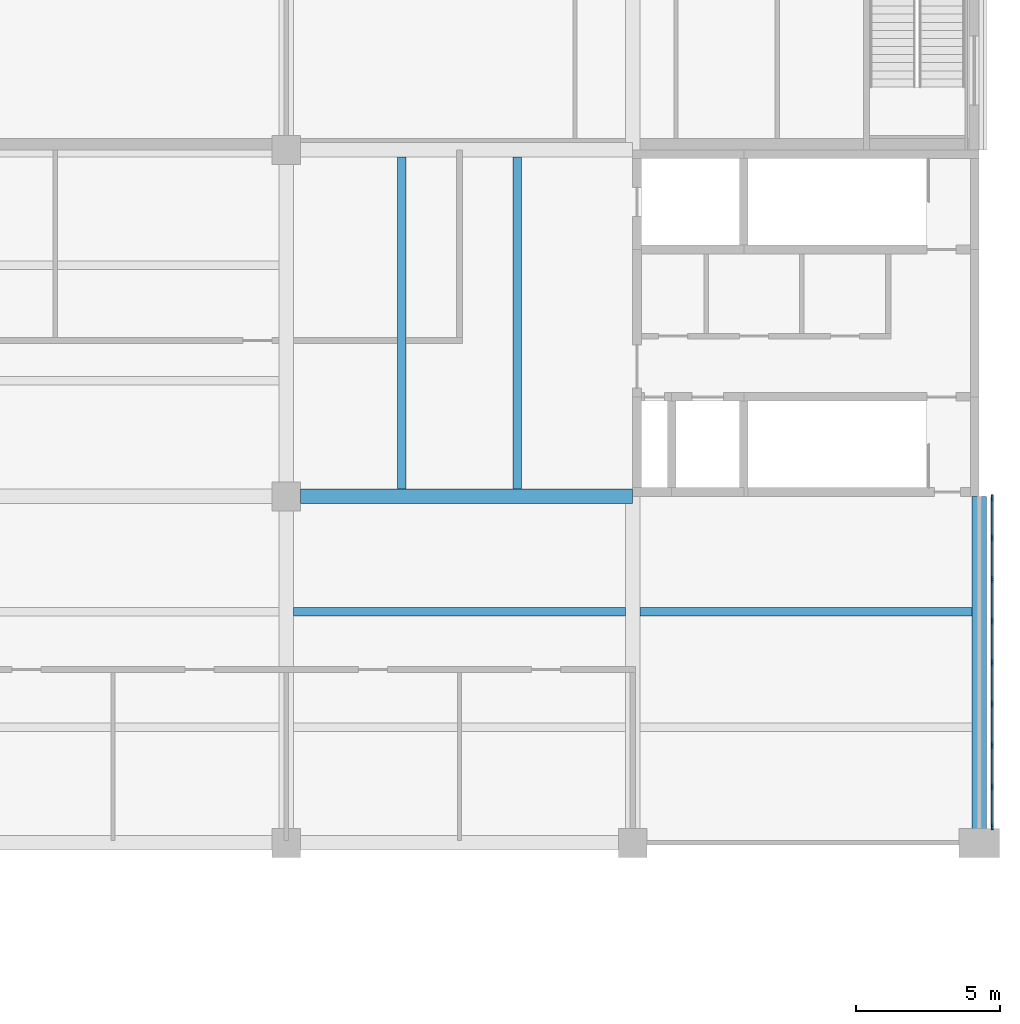
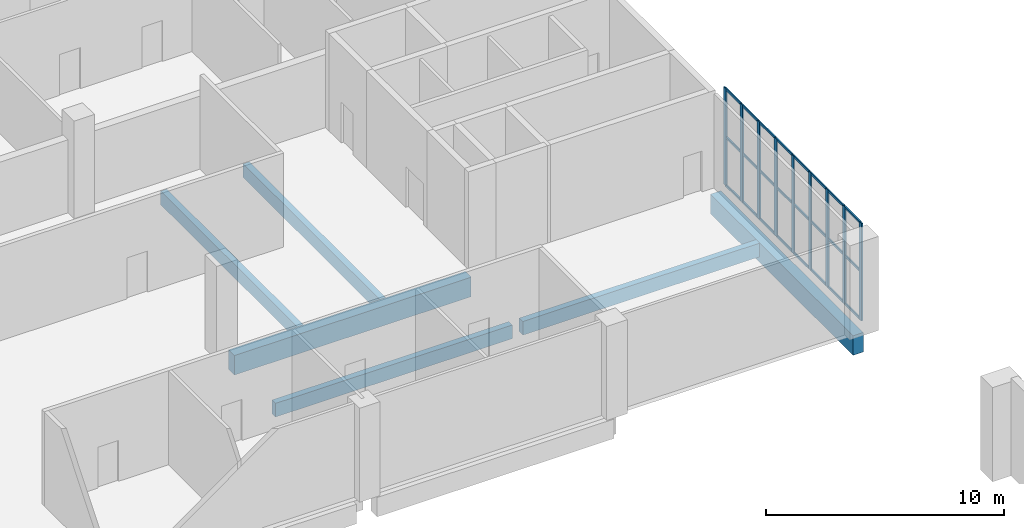
# One storey, part 36 of 69: 33 members, 6 beams, 1 element without a shape of its own.
"""IFC4 building model written with IfcOpenShell, lengths in metres."""

from ifc_helpers import new_model, si_unit, direction, frame, origin, origin_2d, place, context, subcontext, project, spatial, rectangle, extrude, material, layer, layer_set, material_profile, profile_set, type_object, element, aggregate, save


model = new_model("IFC4")

# Units and contexts
model_context = context("Model", 3, precision=1e-05, world=origin(), true_north=direction((0.0, 1.0)))
body_context = subcontext(model_context, "Body", "Model", "MODEL_VIEW")
ifc_project = project(units=[si_unit("LENGTHUNIT", "METRE"), si_unit("AREAUNIT", "SQUARE_METRE"), si_unit("VOLUMEUNIT", "CUBIC_METRE"), si_unit("PLANEANGLEUNIT", "RADIAN"), si_unit("MASSUNIT", "GRAM", prefix="KILO")], contexts=[model_context])

# Site, building, storey
site_placement = place(None, origin())
site = spatial("IfcSite", under=ifc_project, at=site_placement, CompositionType="ELEMENT")
building_placement = place(site_placement, origin())
building = spatial("IfcBuilding", under=site, at=building_placement, Name="Lilac Gate Convention Centre", CompositionType="ELEMENT")
storey_placement = place(building_placement, frame((0.0, 0.0, 12.0)))
storey = spatial("IfcBuildingStorey", under=building, at=storey_placement, Name="L02", CompositionType="ELEMENT", Elevation=12.0)

# Curtain wall, members
ifc_material_1 = material(Name="Aluminium framed double glazing", Category="aluminium")
ifc_layer = layer(ifc_material_1, 0.199951171875)
ifc_layer_set = layer_set([ifc_layer], Name="Aluminium framed double glazing")
curtain_wall_type = type_object("IfcCurtainWallType", Name="Unitised curtain wall 1500", PredefinedType="NOTDEFINED", material=ifc_layer_set)
curtain_wall_placement = place(storey_placement, origin())
curtain_wall = element("IfcCurtainWall", 1, at=curtain_wall_placement, inside=storey, type_object=curtain_wall_type, Name="Curtain wall HE L02 12", PredefinedType="NOTDEFINED")
ifc_material_2 = material(Name="Aluminium alloy 6063", Category="aluminium")
ifc_material_profile_1 = material_profile(ifc_material_2, rectangle(XDim=0.06005859375, YDim=0.219970703125, at=origin_2d()), Name="Curtain wall mullion 60 x 220")
ifc_profile_set_1 = profile_set([ifc_material_profile_1], Name="Aluminium alloy 6063")
member_type_1 = type_object("IfcMemberType", Name="Curtain wall mullion 60 x 220", PredefinedType="MULLION", material=ifc_profile_set_1)
member_1_placement = place(storey_placement, frame((90.449951171875, 198.56005859375, 0.0), z_axis=(0.0, 0.0, 1.0), x_axis=(-1.0, 0.0, 0.0)))
member_1 = element("IfcMember", 2, at=member_1_placement, type_object=member_type_1, Name="CW mullion 1", PredefinedType="MULLION", context=body_context, shape_type="SweptSolid", body=[
    extrude(rectangle(XDim=0.06005859375, YDim=0.219970703125, at=origin_2d()), origin(), (0.0, 0.0, 1.0), 5.0),
])
member_2_placement = place(storey_placement, frame((90.449951171875, 199.9375, 0.0), z_axis=(0.0, 0.0, 1.0), x_axis=(-1.0, 0.0, 0.0)))
member_2 = element("IfcMember", 3, at=member_2_placement, type_object=member_type_1, Name="CW mullion 2", PredefinedType="MULLION", context=body_context, shape_type="SweptSolid", body=[
    extrude(rectangle(XDim=0.06005859375, YDim=0.219970703125, at=origin_2d()), origin(), (0.0, 0.0, 1.0), 5.0),
])
member_3_placement = place(storey_placement, frame((90.449951171875, 201.375, 0.0), z_axis=(0.0, 0.0, 1.0), x_axis=(-1.0, 0.0, 0.0)))
member_3 = element("IfcMember", 4, at=member_3_placement, type_object=member_type_1, Name="CW mullion 3", PredefinedType="MULLION", context=body_context, shape_type="SweptSolid", body=[
    extrude(rectangle(XDim=0.06005859375, YDim=0.219970703125, at=origin_2d()), origin(), (0.0, 0.0, 1.0), 5.0),
])
member_4_placement = place(storey_placement, frame((90.449951171875, 202.8125, 0.0), z_axis=(0.0, 0.0, 1.0), x_axis=(-1.0, 0.0, 0.0)))
member_4 = element("IfcMember", 5, at=member_4_placement, type_object=member_type_1, Name="CW mullion 4", PredefinedType="MULLION", context=body_context, shape_type="SweptSolid", body=[
    extrude(rectangle(XDim=0.06005859375, YDim=0.219970703125, at=origin_2d()), origin(), (0.0, 0.0, 1.0), 5.0),
])
member_5_placement = place(storey_placement, frame((90.449951171875, 204.25, 0.0), z_axis=(0.0, 0.0, 1.0), x_axis=(-1.0, 0.0, 0.0)))
member_5 = element("IfcMember", 6, at=member_5_placement, type_object=member_type_1, Name="CW mullion 5", PredefinedType="MULLION", context=body_context, shape_type="SweptSolid", body=[
    extrude(rectangle(XDim=0.06005859375, YDim=0.219970703125, at=origin_2d()), origin(), (0.0, 0.0, 1.0), 5.0),
])
member_6_placement = place(storey_placement, frame((90.449951171875, 205.6875, 0.0), z_axis=(0.0, 0.0, 1.0), x_axis=(-1.0, 0.0, 0.0)))
member_6 = element("IfcMember", 7, at=member_6_placement, type_object=member_type_1, Name="CW mullion 6", PredefinedType="MULLION", context=body_context, shape_type="SweptSolid", body=[
    extrude(rectangle(XDim=0.06005859375, YDim=0.219970703125, at=origin_2d()), origin(), (0.0, 0.0, 1.0), 5.0),
])
member_7_placement = place(storey_placement, frame((90.449951171875, 207.125, 0.0), z_axis=(0.0, 0.0, 1.0), x_axis=(-1.0, 0.0, 0.0)))
member_7 = element("IfcMember", 8, at=member_7_placement, type_object=member_type_1, Name="CW mullion 7", PredefinedType="MULLION", context=body_context, shape_type="SweptSolid", body=[
    extrude(rectangle(XDim=0.06005859375, YDim=0.219970703125, at=origin_2d()), origin(), (0.0, 0.0, 1.0), 5.0),
])
member_8_placement = place(storey_placement, frame((90.449951171875, 208.5625, 0.0), z_axis=(0.0, 0.0, 1.0), x_axis=(-1.0, 0.0, 0.0)))
member_8 = element("IfcMember", 9, at=member_8_placement, type_object=member_type_1, Name="CW mullion 8", PredefinedType="MULLION", context=body_context, shape_type="SweptSolid", body=[
    extrude(rectangle(XDim=0.06005859375, YDim=0.219970703125, at=origin_2d()), origin(), (0.0, 0.0, 1.0), 5.0),
])
member_9_placement = place(storey_placement, frame((90.449951171875, 209.93994140625, 0.0), z_axis=(0.0, 0.0, 1.0), x_axis=(-1.0, 0.0, 0.0)))
member_9 = element("IfcMember", 10, at=member_9_placement, type_object=member_type_1, Name="CW mullion 9", PredefinedType="MULLION", context=body_context, shape_type="SweptSolid", body=[
    extrude(rectangle(XDim=0.06005859375, YDim=0.219970703125, at=origin_2d()), origin(), (0.0, 0.0, 1.0), 5.0),
])
ifc_material_profile_2 = material_profile(ifc_material_2, rectangle(XDim=0.06005859375, YDim=0.1201171875, at=origin_2d()), Name="Curtain wall transom 60 x 120")
ifc_profile_set_2 = profile_set([ifc_material_profile_2], Name="Aluminium alloy 6063")
member_type_2 = type_object("IfcMemberType", Name="Curtain wall transom 60 x 120", PredefinedType="USERDEFINED", material=ifc_profile_set_2)
member_10_placement = place(storey_placement, frame((90.449951171875, 198.56005859375, 0.030029296875), z_axis=(0.0, 1.0, 0.0), x_axis=(-1.0, 0.0, 0.0)))
member_10 = element("IfcMember", 11, at=member_10_placement, type_object=member_type_2, Name="CW transom 1.1", ObjectType="TRANSOM", PredefinedType="USERDEFINED", context=body_context, shape_type="SweptSolid", body=[
    extrude(rectangle(XDim=0.06005859375, YDim=0.1201171875, at=origin_2d()), origin(), (0.0, 0.0, 1.0), 1.347412109375),
])
member_11_placement = place(storey_placement, frame((90.449951171875, 198.56005859375, 2.5), z_axis=(0.0, 1.0, 0.0), x_axis=(-1.0, 0.0, 0.0)))
member_11 = element("IfcMember", 12, at=member_11_placement, type_object=member_type_2, Name="CW transom 1.2", ObjectType="TRANSOM", PredefinedType="USERDEFINED", context=body_context, shape_type="SweptSolid", body=[
    extrude(rectangle(XDim=0.06005859375, YDim=0.1201171875, at=origin_2d()), origin(), (0.0, 0.0, 1.0), 1.347412109375),
])
member_12_placement = place(storey_placement, frame((90.449951171875, 198.56005859375, 4.969970703125), z_axis=(0.0, 1.0, 0.0), x_axis=(-1.0, 0.0, 0.0)))
member_12 = element("IfcMember", 13, at=member_12_placement, type_object=member_type_2, Name="CW transom 1.3", ObjectType="TRANSOM", PredefinedType="USERDEFINED", context=body_context, shape_type="SweptSolid", body=[
    extrude(rectangle(XDim=0.06005859375, YDim=0.1201171875, at=origin_2d()), origin(), (0.0, 0.0, 1.0), 1.347412109375),
])
member_13_placement = place(storey_placement, frame((90.449951171875, 199.967529296875, 0.030029296875), z_axis=(0.0, 1.0, 0.0), x_axis=(-1.0, 0.0, 0.0)))
member_13 = element("IfcMember", 14, at=member_13_placement, type_object=member_type_2, Name="CW transom 2.1", ObjectType="TRANSOM", PredefinedType="USERDEFINED", context=body_context, shape_type="SweptSolid", body=[
    extrude(rectangle(XDim=0.06005859375, YDim=0.1201171875, at=origin_2d()), origin(), (0.0, 0.0, 1.0), 1.37744140625),
])
member_14_placement = place(storey_placement, frame((90.449951171875, 199.967529296875, 2.5), z_axis=(0.0, 1.0, 0.0), x_axis=(-1.0, 0.0, 0.0)))
member_14 = element("IfcMember", 15, at=member_14_placement, type_object=member_type_2, Name="CW transom 2.2", ObjectType="TRANSOM", PredefinedType="USERDEFINED", context=body_context, shape_type="SweptSolid", body=[
    extrude(rectangle(XDim=0.06005859375, YDim=0.1201171875, at=origin_2d()), origin(), (0.0, 0.0, 1.0), 1.37744140625),
])
member_15_placement = place(storey_placement, frame((90.449951171875, 199.967529296875, 4.969970703125), z_axis=(0.0, 1.0, 0.0), x_axis=(-1.0, 0.0, 0.0)))
member_15 = element("IfcMember", 16, at=member_15_placement, type_object=member_type_2, Name="CW transom 2.3", ObjectType="TRANSOM", PredefinedType="USERDEFINED", context=body_context, shape_type="SweptSolid", body=[
    extrude(rectangle(XDim=0.06005859375, YDim=0.1201171875, at=origin_2d()), origin(), (0.0, 0.0, 1.0), 1.37744140625),
])
member_16_placement = place(storey_placement, frame((90.449951171875, 201.405029296875, 0.030029296875), z_axis=(0.0, 1.0, 0.0), x_axis=(-1.0, 0.0, 0.0)))
member_16 = element("IfcMember", 17, at=member_16_placement, type_object=member_type_2, Name="CW transom 3.1", ObjectType="TRANSOM", PredefinedType="USERDEFINED", context=body_context, shape_type="SweptSolid", body=[
    extrude(rectangle(XDim=0.06005859375, YDim=0.1201171875, at=origin_2d()), origin(), (0.0, 0.0, 1.0), 1.37744140625),
])
member_17_placement = place(storey_placement, frame((90.449951171875, 201.405029296875, 2.5), z_axis=(0.0, 1.0, 0.0), x_axis=(-1.0, 0.0, 0.0)))
member_17 = element("IfcMember", 18, at=member_17_placement, type_object=member_type_2, Name="CW transom 3.2", ObjectType="TRANSOM", PredefinedType="USERDEFINED", context=body_context, shape_type="SweptSolid", body=[
    extrude(rectangle(XDim=0.06005859375, YDim=0.1201171875, at=origin_2d()), origin(), (0.0, 0.0, 1.0), 1.37744140625),
])
member_18_placement = place(storey_placement, frame((90.449951171875, 201.405029296875, 4.969970703125), z_axis=(0.0, 1.0, 0.0), x_axis=(-1.0, 0.0, 0.0)))
member_18 = element("IfcMember", 19, at=member_18_placement, type_object=member_type_2, Name="CW transom 3.3", ObjectType="TRANSOM", PredefinedType="USERDEFINED", context=body_context, shape_type="SweptSolid", body=[
    extrude(rectangle(XDim=0.06005859375, YDim=0.1201171875, at=origin_2d()), origin(), (0.0, 0.0, 1.0), 1.37744140625),
])
member_19_placement = place(storey_placement, frame((90.449951171875, 202.842529296875, 0.030029296875), z_axis=(0.0, 1.0, 0.0), x_axis=(-1.0, 0.0, 0.0)))
member_19 = element("IfcMember", 20, at=member_19_placement, type_object=member_type_2, Name="CW transom 4.1", ObjectType="TRANSOM", PredefinedType="USERDEFINED", context=body_context, shape_type="SweptSolid", body=[
    extrude(rectangle(XDim=0.06005859375, YDim=0.1201171875, at=origin_2d()), origin(), (0.0, 0.0, 1.0), 1.37744140625),
])
member_20_placement = place(storey_placement, frame((90.449951171875, 202.842529296875, 2.5), z_axis=(0.0, 1.0, 0.0), x_axis=(-1.0, 0.0, 0.0)))
member_20 = element("IfcMember", 21, at=member_20_placement, type_object=member_type_2, Name="CW transom 4.2", ObjectType="TRANSOM", PredefinedType="USERDEFINED", context=body_context, shape_type="SweptSolid", body=[
    extrude(rectangle(XDim=0.06005859375, YDim=0.1201171875, at=origin_2d()), origin(), (0.0, 0.0, 1.0), 1.37744140625),
])
member_21_placement = place(storey_placement, frame((90.449951171875, 202.842529296875, 4.969970703125), z_axis=(0.0, 1.0, 0.0), x_axis=(-1.0, 0.0, 0.0)))
member_21 = element("IfcMember", 22, at=member_21_placement, type_object=member_type_2, Name="CW transom 4.3", ObjectType="TRANSOM", PredefinedType="USERDEFINED", context=body_context, shape_type="SweptSolid", body=[
    extrude(rectangle(XDim=0.06005859375, YDim=0.1201171875, at=origin_2d()), origin(), (0.0, 0.0, 1.0), 1.37744140625),
])
member_22_placement = place(storey_placement, frame((90.449951171875, 204.280029296875, 0.030029296875), z_axis=(0.0, 1.0, 0.0), x_axis=(-1.0, 0.0, 0.0)))
member_22 = element("IfcMember", 23, at=member_22_placement, type_object=member_type_2, Name="CW transom 5.1", ObjectType="TRANSOM", PredefinedType="USERDEFINED", context=body_context, shape_type="SweptSolid", body=[
    extrude(rectangle(XDim=0.06005859375, YDim=0.1201171875, at=origin_2d()), origin(), (0.0, 0.0, 1.0), 1.37744140625),
])
member_23_placement = place(storey_placement, frame((90.449951171875, 204.280029296875, 2.5), z_axis=(0.0, 1.0, 0.0), x_axis=(-1.0, 0.0, 0.0)))
member_23 = element("IfcMember", 24, at=member_23_placement, type_object=member_type_2, Name="CW transom 5.2", ObjectType="TRANSOM", PredefinedType="USERDEFINED", context=body_context, shape_type="SweptSolid", body=[
    extrude(rectangle(XDim=0.06005859375, YDim=0.1201171875, at=origin_2d()), origin(), (0.0, 0.0, 1.0), 1.37744140625),
])
member_24_placement = place(storey_placement, frame((90.449951171875, 204.280029296875, 4.969970703125), z_axis=(0.0, 1.0, 0.0), x_axis=(-1.0, 0.0, 0.0)))
member_24 = element("IfcMember", 25, at=member_24_placement, type_object=member_type_2, Name="CW transom 5.3", ObjectType="TRANSOM", PredefinedType="USERDEFINED", context=body_context, shape_type="SweptSolid", body=[
    extrude(rectangle(XDim=0.06005859375, YDim=0.1201171875, at=origin_2d()), origin(), (0.0, 0.0, 1.0), 1.37744140625),
])
member_25_placement = place(storey_placement, frame((90.449951171875, 205.717529296875, 0.030029296875), z_axis=(0.0, 1.0, 0.0), x_axis=(-1.0, 0.0, 0.0)))
member_25 = element("IfcMember", 26, at=member_25_placement, type_object=member_type_2, Name="CW transom 6.1", ObjectType="TRANSOM", PredefinedType="USERDEFINED", context=body_context, shape_type="SweptSolid", body=[
    extrude(rectangle(XDim=0.06005859375, YDim=0.1201171875, at=origin_2d()), origin(), (0.0, 0.0, 1.0), 1.37744140625),
])
member_26_placement = place(storey_placement, frame((90.449951171875, 205.717529296875, 2.5), z_axis=(0.0, 1.0, 0.0), x_axis=(-1.0, 0.0, 0.0)))
member_26 = element("IfcMember", 27, at=member_26_placement, type_object=member_type_2, Name="CW transom 6.2", ObjectType="TRANSOM", PredefinedType="USERDEFINED", context=body_context, shape_type="SweptSolid", body=[
    extrude(rectangle(XDim=0.06005859375, YDim=0.1201171875, at=origin_2d()), origin(), (0.0, 0.0, 1.0), 1.37744140625),
])
member_27_placement = place(storey_placement, frame((90.449951171875, 205.717529296875, 4.969970703125), z_axis=(0.0, 1.0, 0.0), x_axis=(-1.0, 0.0, 0.0)))
member_27 = element("IfcMember", 28, at=member_27_placement, type_object=member_type_2, Name="CW transom 6.3", ObjectType="TRANSOM", PredefinedType="USERDEFINED", context=body_context, shape_type="SweptSolid", body=[
    extrude(rectangle(XDim=0.06005859375, YDim=0.1201171875, at=origin_2d()), origin(), (0.0, 0.0, 1.0), 1.37744140625),
])
member_28_placement = place(storey_placement, frame((90.449951171875, 207.155029296875, 0.030029296875), z_axis=(0.0, 1.0, 0.0), x_axis=(-1.0, 0.0, 0.0)))
member_28 = element("IfcMember", 29, at=member_28_placement, type_object=member_type_2, Name="CW transom 7.1", ObjectType="TRANSOM", PredefinedType="USERDEFINED", context=body_context, shape_type="SweptSolid", body=[
    extrude(rectangle(XDim=0.06005859375, YDim=0.1201171875, at=origin_2d()), origin(), (0.0, 0.0, 1.0), 1.37744140625),
])
member_29_placement = place(storey_placement, frame((90.449951171875, 207.155029296875, 2.5), z_axis=(0.0, 1.0, 0.0), x_axis=(-1.0, 0.0, 0.0)))
member_29 = element("IfcMember", 30, at=member_29_placement, type_object=member_type_2, Name="CW transom 7.2", ObjectType="TRANSOM", PredefinedType="USERDEFINED", context=body_context, shape_type="SweptSolid", body=[
    extrude(rectangle(XDim=0.06005859375, YDim=0.1201171875, at=origin_2d()), origin(), (0.0, 0.0, 1.0), 1.37744140625),
])
member_30_placement = place(storey_placement, frame((90.449951171875, 207.155029296875, 4.969970703125), z_axis=(0.0, 1.0, 0.0), x_axis=(-1.0, 0.0, 0.0)))
member_30 = element("IfcMember", 31, at=member_30_placement, type_object=member_type_2, Name="CW transom 7.3", ObjectType="TRANSOM", PredefinedType="USERDEFINED", context=body_context, shape_type="SweptSolid", body=[
    extrude(rectangle(XDim=0.06005859375, YDim=0.1201171875, at=origin_2d()), origin(), (0.0, 0.0, 1.0), 1.37744140625),
])
member_31_placement = place(storey_placement, frame((90.449951171875, 208.592529296875, 0.030029296875), z_axis=(0.0, 1.0, 0.0), x_axis=(-1.0, 0.0, 0.0)))
member_31 = element("IfcMember", 32, at=member_31_placement, type_object=member_type_2, Name="CW transom 8.1", ObjectType="TRANSOM", PredefinedType="USERDEFINED", context=body_context, shape_type="SweptSolid", body=[
    extrude(rectangle(XDim=0.06005859375, YDim=0.1201171875, at=origin_2d()), origin(), (0.0, 0.0, 1.0), 1.347412109375),
])
member_32_placement = place(storey_placement, frame((90.449951171875, 208.592529296875, 2.5), z_axis=(0.0, 1.0, 0.0), x_axis=(-1.0, 0.0, 0.0)))
member_32 = element("IfcMember", 33, at=member_32_placement, type_object=member_type_2, Name="CW transom 8.2", ObjectType="TRANSOM", PredefinedType="USERDEFINED", context=body_context, shape_type="SweptSolid", body=[
    extrude(rectangle(XDim=0.06005859375, YDim=0.1201171875, at=origin_2d()), origin(), (0.0, 0.0, 1.0), 1.347412109375),
])
member_33_placement = place(storey_placement, frame((90.449951171875, 208.592529296875, 4.969970703125), z_axis=(0.0, 1.0, 0.0), x_axis=(-1.0, 0.0, 0.0)))
member_33 = element("IfcMember", 34, at=member_33_placement, type_object=member_type_2, Name="CW transom 8.3", ObjectType="TRANSOM", PredefinedType="USERDEFINED", context=body_context, shape_type="SweptSolid", body=[
    extrude(rectangle(XDim=0.06005859375, YDim=0.1201171875, at=origin_2d()), origin(), (0.0, 0.0, 1.0), 1.347412109375),
])
aggregate(curtain_wall, [member_1, member_2, member_3, member_4, member_5, member_6, member_7, member_8, member_9, member_10, member_11, member_12, member_13, member_14, member_15, member_16, member_17, member_18, member_19, member_20, member_21, member_22, member_23, member_24, member_25, member_26, member_27, member_28, member_29, member_30, member_31, member_32, member_33])

# Beams
ifc_material_3 = material(Name="Concrete C40", Category="concrete")
ifc_material_profile_3 = material_profile(ifc_material_3, rectangle(XDim=0.5, YDim=1.0, at=origin_2d()), Name="RC 500x1000")
ifc_profile_set_3 = profile_set([ifc_material_profile_3], Name="Concrete C40")
beam_type_1 = type_object("IfcBeamType", Name="Primary beam 500x1000 C40", PredefinedType="BEAM", material=ifc_profile_set_3)
beam_1_placement = place(storey_placement, frame((66.5, 210.0, -0.75), z_axis=(1.0, 0.0, 0.0), x_axis=(0.0, 1.0, 0.0)))
element("IfcBeam", 35, at=beam_1_placement, inside=storey, type_object=beam_type_1, Name="RB1 L02 6/R-7/R", PredefinedType="BEAM", context=body_context, shape_type="SweptSolid", body=[
    extrude(rectangle(XDim=0.5, YDim=1.0, at=origin_2d()), origin(), (0.0, 0.0, 1.0), 11.5),
])
beam_2_placement = place(storey_placement, frame((90.0, 198.0, -0.75), z_axis=(0.0, 1.0, 0.0), x_axis=(-1.0, 0.0, 0.0)))
element("IfcBeam", 36, at=beam_2_placement, inside=storey, type_object=beam_type_1, Name="RB1 L02 8/Q-8/R", PredefinedType="BEAM", context=body_context, shape_type="SweptSolid", body=[
    extrude(rectangle(XDim=0.5, YDim=1.0, at=origin_2d()), origin(), (0.0, 0.0, 1.0), 12.0),
])
ifc_material_profile_4 = material_profile(ifc_material_3, rectangle(XDim=0.300048828125, YDim=0.699951171875, at=origin_2d()), Name="RC 300x700")
ifc_profile_set_4 = profile_set([ifc_material_profile_4], Name="Concrete C40")
beam_type_2 = type_object("IfcBeamType", Name="Secondary beam 300x700 C40", PredefinedType="BEAM", material=ifc_profile_set_4)
for number, where, z_axis, x_axis, name in (
    (37, (66.25, 206.0, -0.60009765625), (1.0, 0.0, 0.0), (0.0, 1.0, 0.0), "RB2 L02 bay 6/Q"),
    (38, (70.0, 210.25, -0.60009765625), (0.0, 1.0, 0.0), (-1.0, 0.0, 0.0), "RB2 L02 bay 6/R"),
    (39, (74.0, 210.25, -0.60009765625), (0.0, 1.0, 0.0), (-1.0, 0.0, 0.0), "RB2 L02 bay 6/R"),
    (40, (78.25, 206.0, -0.60009765625), (1.0, 0.0, 0.0), (0.0, 1.0, 0.0), "RB2 L02 bay 7/Q"),
):
    element("IfcBeam", number, at=place(storey_placement, frame(where, z_axis=z_axis, x_axis=x_axis)), inside=storey, type_object=beam_type_2, Name=name, PredefinedType="BEAM", context=body_context, shape_type="SweptSolid", body=[
        extrude(rectangle(XDim=0.300048828125, YDim=0.699951171875, at=origin_2d()), origin(), (0.0, 0.0, 1.0), 11.5),
    ])

save(model, "model.ifc")
